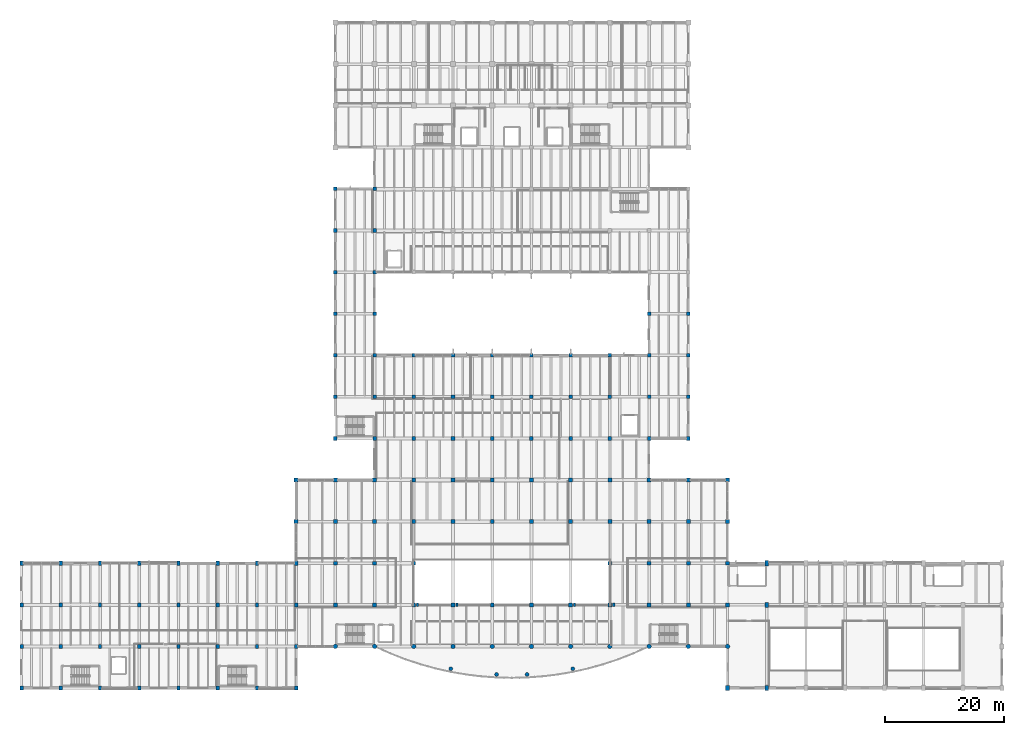
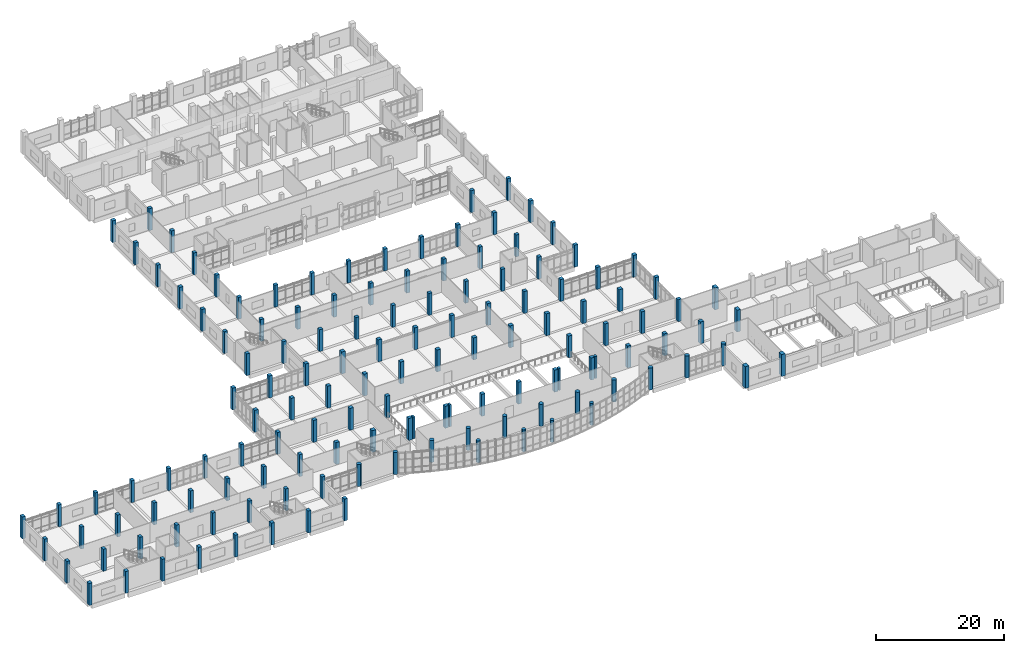
# One storey, part 1 of 68: 137 columns.
"""IFC4 building model written with IfcOpenShell, lengths in metres."""

from ifc_helpers import new_model, si_unit, direction, frame, origin, origin_2d, place, context, subcontext, project, spatial, rectangle, circle, extrude, material, material_profile, profile_set, type_object, element, save


model = new_model("IFC4")

# Units and contexts
model_context = context("Model", 3, precision=1e-05, world=origin(), true_north=direction((0.0, 1.0)))
body_context = subcontext(model_context, "Body", "Model", "MODEL_VIEW")
ifc_project = project(units=[si_unit("LENGTHUNIT", "METRE"), si_unit("AREAUNIT", "SQUARE_METRE"), si_unit("VOLUMEUNIT", "CUBIC_METRE"), si_unit("PLANEANGLEUNIT", "RADIAN"), si_unit("MASSUNIT", "GRAM", prefix="KILO")], contexts=[model_context])

# Site, building, storey
site_placement = place(None, origin())
site = spatial("IfcSite", under=ifc_project, at=site_placement, CompositionType="ELEMENT")
building_placement = place(site_placement, origin())
building = spatial("IfcBuilding", under=site, at=building_placement, Name="Ciguamira Faculty of Natural Sciences", CompositionType="ELEMENT")
storey_placement = place(building_placement, frame((0.0, 0.0, 4.199951171875)))
storey = spatial("IfcBuildingStorey", under=building, at=storey_placement, Name="L01", CompositionType="ELEMENT", Elevation=4.199951171875)

# Columns
ifc_material = material(Name="Concrete C40/50", Category="concrete")
ifc_material_profile_1 = material_profile(ifc_material, rectangle(XDim=0.64990234375, YDim=0.64990234375, at=origin_2d()), Name="RC-COL-650X650")
ifc_profile_set_1 = profile_set([ifc_material_profile_1], Name="Concrete C40/50")
column_type_1 = type_object("IfcColumnType", Name="Col_C-06_RC-COL-650X650", PredefinedType="COLUMN", material=ifc_profile_set_1)
for number, where, z_axis, x_axis, name in (
    (1, (50.699951171875, 31.0, 0.0), (0.0, 0.0, 1.0), (1.0, 0.0, 0.0), "L01 column 8/E"),
    (2, (50.699951171875, 38.0, 0.0), (0.0, 0.0, 1.0), (1.0, 0.0, 0.0), "L01 column 8/F"),
    (3, (57.300048828125, 17.0, 0.0), (0.0, 0.0, 1.0), (1.0, 0.0, 0.0), "L01 column 9/C"),
    (4, (57.300048828125, 24.0, 0.0), (0.0, 0.0, 1.0), (1.0, 0.0, 0.0), "L01 column 9/D"),
    (5, (57.300048828125, 31.0, 0.0), (0.0, 0.0, 1.0), (1.0, 0.0, 0.0), "L01 column 9/E"),
    (6, (57.300048828125, 38.0, 0.0), (0.0, 0.0, 1.0), (1.0, 0.0, 0.0), "L01 column 9/F"),
    (7, (63.89990234375, 17.0, 0.0), (0.0, 0.0, 1.0), (1.0, 0.0, 0.0), "L01 column 10/C"),
    (8, (63.89990234375, 24.0, 0.0), (0.0, 0.0, 1.0), (1.0, 0.0, 0.0), "L01 column 10/D"),
    (9, (63.89990234375, 31.0, 0.0), (0.0, 0.0, 1.0), (1.0, 0.0, 0.0), "L01 column 10/E"),
    (10, (63.89990234375, 38.0, 0.0), (0.0, 0.0, 1.0), (1.0, 0.0, 0.0), "L01 column 10/F"),
    (11, (70.5, 17.0, 0.0), (0.0, 0.0, 1.0), (1.0, 0.0, 0.0), "L01 column 11/C"),
    (12, (70.5, 24.0, 0.0), (0.0, 0.0, 1.0), (1.0, 0.0, 0.0), "L01 column 11/D"),
    (13, (70.5, 31.0, 0.0), (0.0, 0.0, 1.0), (1.0, 0.0, 0.0), "L01 column 11/E"),
    (14, (70.5, 38.0, 0.0), (0.0, 0.0, 1.0), (1.0, 0.0, 0.0), "L01 column 11/F"),
    (15, (77.10009765625, 17.0, 0.0), (0.0, 0.0, 1.0), (1.0, 0.0, 0.0), "L01 column 12/C"),
    (16, (77.10009765625, 31.0, 0.0), (0.0, 0.0, 1.0), (1.0, 0.0, 0.0), "L01 column 12/E"),
    (17, (77.10009765625, 38.0, 0.0), (0.0, 0.0, 1.0), (1.0, 0.0, 0.0), "L01 column 12/F"),
    (18, (83.699951171875, 17.0, 0.0), (0.0, 0.0, 1.0), (1.0, 0.0, 0.0), "L01 column 13/C"),
    (19, (83.699951171875, 31.0, 0.0), (0.0, 0.0, 1.0), (1.0, 0.0, 0.0), "L01 column 13/E"),
    (20, (83.699951171875, 38.0, 0.0), (0.0, 0.0, 1.0), (1.0, 0.0, 0.0), "L01 column 13/F"),
    (21, (90.300048828125, 17.0, 0.0), (0.0, 0.0, 1.0), (1.0, 0.0, 0.0), "L01 column 14/C"),
    (22, (90.300048828125, 31.0, 0.0), (0.0, 0.0, 1.0), (1.0, 0.0, 0.0), "L01 column 14/E"),
    (23, (90.300048828125, 38.0, 0.0), (0.0, 0.0, 1.0), (1.0, 0.0, 0.0), "L01 column 14/F"),
    (24, (96.89990234375, 17.0, 0.0), (0.0, 0.0, 1.0), (1.0, 0.0, 0.0), "L01 column 15/C"),
    (25, (96.89990234375, 31.0, 0.0), (0.0, 0.0, 1.0), (1.0, 0.0, 0.0), "L01 column 15/E"),
    (26, (96.89990234375, 38.0, 0.0), (0.0, 0.0, 1.0), (1.0, 0.0, 0.0), "L01 column 15/F"),
    (27, (103.5, 17.0, 0.0), (0.0, 0.0, 1.0), (1.0, 0.0, 0.0), "L01 column 16/C"),
    (28, (103.5, 24.0, 0.0), (0.0, 0.0, 1.0), (1.0, 0.0, 0.0), "L01 column 16/D"),
    (29, (103.5, 31.0, 0.0), (0.0, 0.0, 1.0), (1.0, 0.0, 0.0), "L01 column 16/E"),
    (30, (103.5, 38.0, 0.0), (0.0, 0.0, 1.0), (1.0, 0.0, 0.0), "L01 column 16/F"),
    (31, (110.10009765625, 17.0, 0.0), (0.0, 0.0, 1.0), (1.0, 0.0, 0.0), "L01 column 17/C"),
    (32, (110.10009765625, 24.0, 0.0), (0.0, 0.0, 1.0), (1.0, 0.0, 0.0), "L01 column 17/D"),
    (33, (110.10009765625, 31.0, 0.0), (0.0, 0.0, 1.0), (1.0, 0.0, 0.0), "L01 column 17/E"),
    (34, (110.10009765625, 38.0, 0.0), (0.0, 0.0, 1.0), (1.0, 0.0, 0.0), "L01 column 17/F"),
    (35, (116.699951171875, 17.0, 0.0), (0.0, 0.0, 1.0), (1.0, 0.0, 0.0), "L01 column 18/C"),
    (36, (116.699951171875, 24.0, 0.0), (0.0, 0.0, 1.0), (1.0, 0.0, 0.0), "L01 column 18/D"),
    (37, (116.699951171875, 31.0, 0.0), (0.0, 0.0, 1.0), (1.0, 0.0, 0.0), "L01 column 18/E"),
    (38, (116.699951171875, 38.0, 0.0), (0.0, 0.0, 1.0), (1.0, 0.0, 0.0), "L01 column 18/F"),
    (39, (123.300048828125, 17.0, 0.0), (0.0, 0.0, 1.0), (1.0, 0.0, 0.0), "L01 column 19/C"),
    (40, (123.300048828125, 24.0, 0.0), (0.0, 0.0, 1.0), (1.0, 0.0, 0.0), "L01 column 19/D"),
    (41, (123.300048828125, 31.0, 0.0), (0.0, 0.0, 1.0), (1.0, 0.0, 0.0), "L01 column 19/E"),
    (42, (123.300048828125, 38.0, 0.0), (0.0, 0.0, 1.0), (1.0, 0.0, 0.0), "L01 column 19/F"),
):
    element("IfcColumn", number, at=place(storey_placement, frame(where, z_axis=z_axis, x_axis=x_axis)), inside=storey, type_object=column_type_1, Name=name, PredefinedType="COLUMN", context=body_context, shape_type="SweptSolid", body=[
        extrude(rectangle(XDim=0.64990234375, YDim=0.64990234375, at=origin_2d()), origin(), (0.0, 0.0, 1.0), 4.199951171875),
    ])
ifc_material_profile_2 = material_profile(ifc_material, rectangle(XDim=0.60009765625, YDim=0.60009765625, at=origin_2d()), Name="RC-COL-600X600")
ifc_profile_set_2 = profile_set([ifc_material_profile_2], Name="Concrete C40/50")
column_type_2 = type_object("IfcColumnType", Name="Col_C-07_RC-COL-600X600", PredefinedType="COLUMN", material=ifc_profile_set_2)
for number, where, z_axis, x_axis, name in (
    (43, (57.300048828125, 45.0, 0.0), (0.0, 0.0, 1.0), (1.0, 0.0, 0.0), "L01 column 9/G"),
    (44, (57.300048828125, 52.0, 0.0), (0.0, 0.0, 1.0), (1.0, 0.0, 0.0), "L01 column 9/H"),
    (45, (57.300048828125, 59.0, 0.0), (0.0, 0.0, 1.0), (1.0, 0.0, 0.0), "L01 column 9/J"),
    (46, (57.300048828125, 66.0, 0.0), (0.0, 0.0, 1.0), (1.0, 0.0, 0.0), "L01 column 9/K"),
    (47, (57.300048828125, 73.0, 0.0), (0.0, 0.0, 1.0), (1.0, 0.0, 0.0), "L01 column 9/L"),
    (48, (57.300048828125, 80.0, 0.0), (0.0, 0.0, 1.0), (1.0, 0.0, 0.0), "L01 column 9/M"),
    (49, (57.300048828125, 87.0, 0.0), (0.0, 0.0, 1.0), (1.0, 0.0, 0.0), "L01 column 9/N"),
    (50, (63.89990234375, 45.0, 0.0), (0.0, 0.0, 1.0), (1.0, 0.0, 0.0), "L01 column 10/G"),
    (51, (63.89990234375, 52.0, 0.0), (0.0, 0.0, 1.0), (1.0, 0.0, 0.0), "L01 column 10/H"),
    (52, (63.89990234375, 59.0, 0.0), (0.0, 0.0, 1.0), (1.0, 0.0, 0.0), "L01 column 10/J"),
    (53, (63.89990234375, 66.0, 0.0), (0.0, 0.0, 1.0), (1.0, 0.0, 0.0), "L01 column 10/K"),
    (54, (63.89990234375, 73.0, 0.0), (0.0, 0.0, 1.0), (1.0, 0.0, 0.0), "L01 column 10/L"),
    (55, (63.89990234375, 80.0, 0.0), (0.0, 0.0, 1.0), (1.0, 0.0, 0.0), "L01 column 10/M"),
    (56, (63.89990234375, 87.0, 0.0), (0.0, 0.0, 1.0), (1.0, 0.0, 0.0), "L01 column 10/N"),
    (57, (70.5, 45.0, 0.0), (0.0, 0.0, 1.0), (1.0, 0.0, 0.0), "L01 column 11/G"),
    (58, (70.5, 52.0, 0.0), (0.0, 0.0, 1.0), (1.0, 0.0, 0.0), "L01 column 11/H"),
    (59, (70.5, 59.0, 0.0), (0.0, 0.0, 1.0), (1.0, 0.0, 0.0), "L01 column 11/J"),
    (60, (77.10009765625, 45.0, 0.0), (0.0, 0.0, 1.0), (1.0, 0.0, 0.0), "L01 column 12/G"),
    (61, (77.10009765625, 52.0, 0.0), (0.0, 0.0, 1.0), (1.0, 0.0, 0.0), "L01 column 12/H"),
    (62, (77.10009765625, 59.0, 0.0), (0.0, 0.0, 1.0), (1.0, 0.0, 0.0), "L01 column 12/J"),
    (63, (83.699951171875, 45.0, 0.0), (0.0, 0.0, 1.0), (1.0, 0.0, 0.0), "L01 column 13/G"),
    (64, (83.699951171875, 52.0, 0.0), (0.0, 0.0, 1.0), (1.0, 0.0, 0.0), "L01 column 13/H"),
    (65, (83.699951171875, 59.0, 0.0), (0.0, 0.0, 1.0), (1.0, 0.0, 0.0), "L01 column 13/J"),
    (66, (90.300048828125, 45.0, 0.0), (0.0, 0.0, 1.0), (1.0, 0.0, 0.0), "L01 column 14/G"),
    (67, (90.300048828125, 52.0, 0.0), (0.0, 0.0, 1.0), (1.0, 0.0, 0.0), "L01 column 14/H"),
    (68, (90.300048828125, 59.0, 0.0), (0.0, 0.0, 1.0), (1.0, 0.0, 0.0), "L01 column 14/J"),
    (69, (96.89990234375, 45.0, 0.0), (0.0, 0.0, 1.0), (1.0, 0.0, 0.0), "L01 column 15/G"),
    (70, (96.89990234375, 52.0, 0.0), (0.0, 0.0, 1.0), (1.0, 0.0, 0.0), "L01 column 15/H"),
    (71, (96.89990234375, 59.0, 0.0), (0.0, 0.0, 1.0), (1.0, 0.0, 0.0), "L01 column 15/J"),
    (72, (103.5, 45.0, 0.0), (0.0, 0.0, 1.0), (1.0, 0.0, 0.0), "L01 column 16/G"),
    (73, (103.5, 52.0, 0.0), (0.0, 0.0, 1.0), (1.0, 0.0, 0.0), "L01 column 16/H"),
    (74, (103.5, 59.0, 0.0), (0.0, 0.0, 1.0), (1.0, 0.0, 0.0), "L01 column 16/J"),
    (75, (110.10009765625, 45.0, 0.0), (0.0, 0.0, 1.0), (1.0, 0.0, 0.0), "L01 column 17/G"),
    (76, (110.10009765625, 52.0, 0.0), (0.0, 0.0, 1.0), (1.0, 0.0, 0.0), "L01 column 17/H"),
    (77, (110.10009765625, 59.0, 0.0), (0.0, 0.0, 1.0), (1.0, 0.0, 0.0), "L01 column 17/J"),
    (78, (110.10009765625, 66.0, 0.0), (0.0, 0.0, 1.0), (1.0, 0.0, 0.0), "L01 column 17/K"),
    (79, (116.699951171875, 45.0, 0.0), (0.0, 0.0, 1.0), (1.0, 0.0, 0.0), "L01 column 18/G"),
    (80, (116.699951171875, 52.0, 0.0), (0.0, 0.0, 1.0), (1.0, 0.0, 0.0), "L01 column 18/H"),
    (81, (116.699951171875, 59.0, 0.0), (0.0, 0.0, 1.0), (1.0, 0.0, 0.0), "L01 column 18/J"),
    (82, (116.699951171875, 66.0, 0.0), (0.0, 0.0, 1.0), (1.0, 0.0, 0.0), "L01 column 18/K"),
):
    element("IfcColumn", number, at=place(storey_placement, frame(where, z_axis=z_axis, x_axis=x_axis)), inside=storey, type_object=column_type_2, Name=name, PredefinedType="COLUMN", context=body_context, shape_type="SweptSolid", body=[
        extrude(rectangle(XDim=0.60009765625, YDim=0.60009765625, at=origin_2d()), origin(), (0.0, 0.0, 1.0), 4.199951171875),
    ])
ifc_material_profile_3 = material_profile(ifc_material, rectangle(XDim=0.64990234375, YDim=0.85009765625, at=origin_2d()), Name="RC-COL-650X850")
ifc_profile_set_3 = profile_set([ifc_material_profile_3], Name="Concrete C40/50")
column_type_3 = type_object("IfcColumnType", Name="Col_C-12_RC-COL-650X850", PredefinedType="COLUMN", material=ifc_profile_set_3)
for number, where, z_axis, x_axis, name in (
    (83, (123.300048828125, 3.0, 0.0), (0.0, 0.0, 1.0), (1.0, 0.0, 0.0), "L01 column 19/A"),
    (84, (129.89990234375, 3.0, 0.0), (0.0, 0.0, 1.0), (1.0, 0.0, 0.0), "L01 column 20/A"),
    (85, (129.89990234375, 17.0, 0.0), (0.0, 0.0, 1.0), (1.0, 0.0, 0.0), "L01 column 20/C"),
    (86, (129.89990234375, 24.0, 0.0), (0.0, 0.0, 1.0), (1.0, 0.0, 0.0), "L01 column 20/D"),
):
    element("IfcColumn", number, at=place(storey_placement, frame(where, z_axis=z_axis, x_axis=x_axis)), inside=storey, type_object=column_type_3, Name=name, PredefinedType="COLUMN", context=body_context, shape_type="SweptSolid", body=[
        extrude(rectangle(XDim=0.64990234375, YDim=0.85009765625, at=origin_2d()), origin(), (0.0, 0.0, 1.0), 4.199951171875),
    ])
ifc_material_profile_4 = material_profile(ifc_material, rectangle(XDim=0.550048828125, YDim=0.699951171875, at=origin_2d()), Name="RC-COL-550X700")
ifc_profile_set_4 = profile_set([ifc_material_profile_4], Name="Concrete C40/50")
column_type_4 = type_object("IfcColumnType", Name="Col_C-14_RC-COL-550X700", PredefinedType="COLUMN", material=ifc_profile_set_4)
for number, where, z_axis, x_axis, name in (
    (87, (4.5, 3.0, 0.0), (0.0, 0.0, 1.0), (1.0, 0.0, 0.0), "L01 column 1/A"),
    (88, (4.5, 10.0, 0.0), (0.0, 0.0, 1.0), (1.0, 0.0, 0.0), "L01 column 1/B"),
    (89, (4.5, 17.0, 0.0), (0.0, 0.0, 1.0), (1.0, 0.0, 0.0), "L01 column 1/C"),
    (90, (4.5, 24.0, 0.0), (0.0, 0.0, 1.0), (1.0, 0.0, 0.0), "L01 column 1/D"),
    (91, (11.10009765625, 3.0, 0.0), (0.0, 0.0, 1.0), (1.0, 0.0, 0.0), "L01 column 2/A"),
    (92, (11.10009765625, 10.0, 0.0), (0.0, 0.0, 1.0), (1.0, 0.0, 0.0), "L01 column 2/B"),
    (93, (11.10009765625, 17.0, 0.0), (0.0, 0.0, 1.0), (1.0, 0.0, 0.0), "L01 column 2/C"),
    (94, (11.10009765625, 24.0, 0.0), (0.0, 0.0, 1.0), (1.0, 0.0, 0.0), "L01 column 2/D"),
    (95, (17.699951171875, 3.0, 0.0), (0.0, 0.0, 1.0), (1.0, 0.0, 0.0), "L01 column 3/A"),
    (96, (17.699951171875, 10.0, 0.0), (0.0, 0.0, 1.0), (1.0, 0.0, 0.0), "L01 column 3/B"),
    (97, (17.699951171875, 17.0, 0.0), (0.0, 0.0, 1.0), (1.0, 0.0, 0.0), "L01 column 3/C"),
    (98, (17.699951171875, 24.0, 0.0), (0.0, 0.0, 1.0), (1.0, 0.0, 0.0), "L01 column 3/D"),
    (99, (24.300048828125, 3.0, 0.0), (0.0, 0.0, 1.0), (1.0, 0.0, 0.0), "L01 column 4/A"),
    (100, (24.300048828125, 10.0, 0.0), (0.0, 0.0, 1.0), (1.0, 0.0, 0.0), "L01 column 4/B"),
    (101, (24.300048828125, 17.0, 0.0), (0.0, 0.0, 1.0), (1.0, 0.0, 0.0), "L01 column 4/C"),
    (102, (24.300048828125, 24.0, 0.0), (0.0, 0.0, 1.0), (1.0, 0.0, 0.0), "L01 column 4/D"),
    (103, (30.89990234375, 3.0, 0.0), (0.0, 0.0, 1.0), (1.0, 0.0, 0.0), "L01 column 5/A"),
    (104, (30.89990234375, 10.0, 0.0), (0.0, 0.0, 1.0), (1.0, 0.0, 0.0), "L01 column 5/B"),
    (105, (30.89990234375, 17.0, 0.0), (0.0, 0.0, 1.0), (1.0, 0.0, 0.0), "L01 column 5/C"),
    (106, (30.89990234375, 24.0, 0.0), (0.0, 0.0, 1.0), (1.0, 0.0, 0.0), "L01 column 5/D"),
    (107, (37.5, 3.0, 0.0), (0.0, 0.0, 1.0), (1.0, 0.0, 0.0), "L01 column 6/A"),
    (108, (37.5, 10.0, 0.0), (0.0, 0.0, 1.0), (1.0, 0.0, 0.0), "L01 column 6/B"),
    (109, (37.5, 17.0, 0.0), (0.0, 0.0, 1.0), (1.0, 0.0, 0.0), "L01 column 6/C"),
    (110, (37.5, 24.0, 0.0), (0.0, 0.0, 1.0), (1.0, 0.0, 0.0), "L01 column 6/D"),
    (111, (44.10009765625, 3.0, 0.0), (0.0, 0.0, 1.0), (1.0, 0.0, 0.0), "L01 column 7/A"),
    (112, (44.10009765625, 10.0, 0.0), (0.0, 0.0, 1.0), (1.0, 0.0, 0.0), "L01 column 7/B"),
    (113, (44.10009765625, 17.0, 0.0), (0.0, 0.0, 1.0), (1.0, 0.0, 0.0), "L01 column 7/C"),
    (114, (44.10009765625, 24.0, 0.0), (0.0, 0.0, 1.0), (1.0, 0.0, 0.0), "L01 column 7/D"),
    (115, (50.699951171875, 3.0, 0.0), (0.0, 0.0, 1.0), (1.0, 0.0, 0.0), "L01 column 8/A"),
    (116, (50.699951171875, 10.0, 0.0), (0.0, 0.0, 1.0), (1.0, 0.0, 0.0), "L01 column 8/B"),
    (117, (50.699951171875, 17.0, 0.0), (0.0, 0.0, 1.0), (1.0, 0.0, 0.0), "L01 column 8/C"),
    (118, (50.699951171875, 24.0, 0.0), (0.0, 0.0, 1.0), (1.0, 0.0, 0.0), "L01 column 8/D"),
):
    element("IfcColumn", number, at=place(storey_placement, frame(where, z_axis=z_axis, x_axis=x_axis)), inside=storey, type_object=column_type_4, Name=name, PredefinedType="COLUMN", context=body_context, shape_type="SweptSolid", body=[
        extrude(rectangle(XDim=0.550048828125, YDim=0.699951171875, at=origin_2d()), origin(), (0.0, 0.0, 1.0), 4.199951171875),
    ])
ifc_material_profile_5 = material_profile(ifc_material, circle(Radius=0.375, at=origin_2d()), Name="RC-RND-750")
ifc_profile_set_5 = profile_set([ifc_material_profile_5], Name="Concrete C40/50")
column_type_5 = type_object("IfcColumnType", Name="Col_C-17_RC-RND-750", PredefinedType="COLUMN", material=ifc_profile_set_5)
for number, where, z_axis, x_axis, name in (
    (119, (57.300048828125, 10.0, 0.0), (0.0, 0.0, 1.0), (1.0, 0.0, 0.0), "L01 column 9/B"),
    (120, (63.89990234375, 10.0, 0.0), (0.0, 0.0, 1.0), (1.0, 0.0, 0.0), "L01 column 10/B"),
    (121, (70.5, 10.0, 0.0), (0.0, 0.0, 1.0), (1.0, 0.0, 0.0), "L01 column 11/B"),
    (122, (77.10009765625, 10.0, 0.0), (0.0, 0.0, 1.0), (1.0, 0.0, 0.0), "L01 column 12/B"),
    (123, (83.699951171875, 10.0, 0.0), (0.0, 0.0, 1.0), (1.0, 0.0, 0.0), "L01 column 13/B"),
    (124, (90.300048828125, 10.0, 0.0), (0.0, 0.0, 1.0), (1.0, 0.0, 0.0), "L01 column 14/B"),
    (125, (96.89990234375, 10.0, 0.0), (0.0, 0.0, 1.0), (1.0, 0.0, 0.0), "L01 column 15/B"),
    (126, (103.5, 10.0, 0.0), (0.0, 0.0, 1.0), (1.0, 0.0, 0.0), "L01 column 16/B"),
    (127, (110.10009765625, 10.0, 0.0), (0.0, 0.0, 1.0), (1.0, 0.0, 0.0), "L01 column 17/B"),
    (128, (116.699951171875, 10.0, 0.0), (0.0, 0.0, 1.0), (1.0, 0.0, 0.0), "L01 column 18/B"),
    (129, (123.300048828125, 10.0, 0.0), (0.0, 0.0, 1.0), (1.0, 0.0, 0.0), "L01 column 19/B"),
):
    element("IfcColumn", number, at=place(storey_placement, frame(where, z_axis=z_axis, x_axis=x_axis)), inside=storey, type_object=column_type_5, Name=name, PredefinedType="COLUMN", context=body_context, shape_type="SweptSolid", body=[
        extrude(circle(Radius=0.375, at=origin_2d()), origin(), (0.0, 0.0, 1.0), 4.199951171875),
    ])
ifc_material_profile_6 = material_profile(ifc_material, circle(Radius=0.324951171875, at=origin_2d()), Name="RC-RND-650")
ifc_profile_set_6 = profile_set([ifc_material_profile_6], Name="Concrete C40/50")
column_type_6 = type_object("IfcColumnType", Name="Col_C-18_RC-RND-650", PredefinedType="COLUMN", material=ifc_profile_set_6)
for number, where, z_axis, x_axis, name in (
    (130, (76.7333984375, 6.236572265625, 0.0), (0.0, 0.0, 1.0), (1.0, 0.0, 0.0), "L01 south arc colonnade column 1"),
    (131, (84.433349609375, 5.291259765625, 0.0), (0.0, 0.0, 1.0), (1.0, 0.0, 0.0), "L01 south arc colonnade column 2"),
    (132, (89.566650390625, 5.291259765625, 0.0), (0.0, 0.0, 1.0), (1.0, 0.0, 0.0), "L01 south arc colonnade column 3"),
    (133, (97.2666015625, 6.236572265625, 0.0), (0.0, 0.0, 1.0), (1.0, 0.0, 0.0), "L01 south arc colonnade column 4"),
):
    element("IfcColumn", number, at=place(storey_placement, frame(where, z_axis=z_axis, x_axis=x_axis)), inside=storey, type_object=column_type_6, Name=name, PredefinedType="COLUMN", context=body_context, shape_type="SweptSolid", body=[
        extrude(circle(Radius=0.324951171875, at=origin_2d()), origin(), (0.0, 0.0, 1.0), 4.199951171875),
    ])
ifc_material_profile_7 = material_profile(ifc_material, rectangle(XDim=0.35009765625, YDim=0.550048828125, at=origin_2d()), Name="RC-PIL-350X550")
ifc_profile_set_7 = profile_set([ifc_material_profile_7], Name="Concrete C40/50")
column_type_7 = type_object("IfcColumnType", Name="Pilaster_PL-02_RC-PIL-350X550", PredefinedType="PILASTER", material=ifc_profile_set_7)
for number, where, z_axis, x_axis, name in (
    (134, (71.14990234375, 17.0, 0.0), (0.0, 0.0, 1.0), (1.0, 0.0, 0.0), "L01 atrium colonnade pilaster A11"),
    (135, (77.75, 17.0, 0.0), (0.0, 0.0, 1.0), (1.0, 0.0, 0.0), "L01 atrium colonnade pilaster A12"),
    (136, (97.550048828125, 17.0, 0.0), (0.0, 0.0, 1.0), (1.0, 0.0, 0.0), "L01 atrium colonnade pilaster A15"),
    (137, (104.14990234375, 17.0, 0.0), (0.0, 0.0, 1.0), (1.0, 0.0, 0.0), "L01 atrium colonnade pilaster A16"),
):
    element("IfcColumn", number, at=place(storey_placement, frame(where, z_axis=z_axis, x_axis=x_axis)), inside=storey, type_object=column_type_7, Name=name, PredefinedType="PILASTER", context=body_context, shape_type="SweptSolid", body=[
        extrude(rectangle(XDim=0.35009765625, YDim=0.550048828125, at=origin_2d()), origin(), (0.0, 0.0, 1.0), 4.199951171875),
    ])

save(model, "model.ifc")
